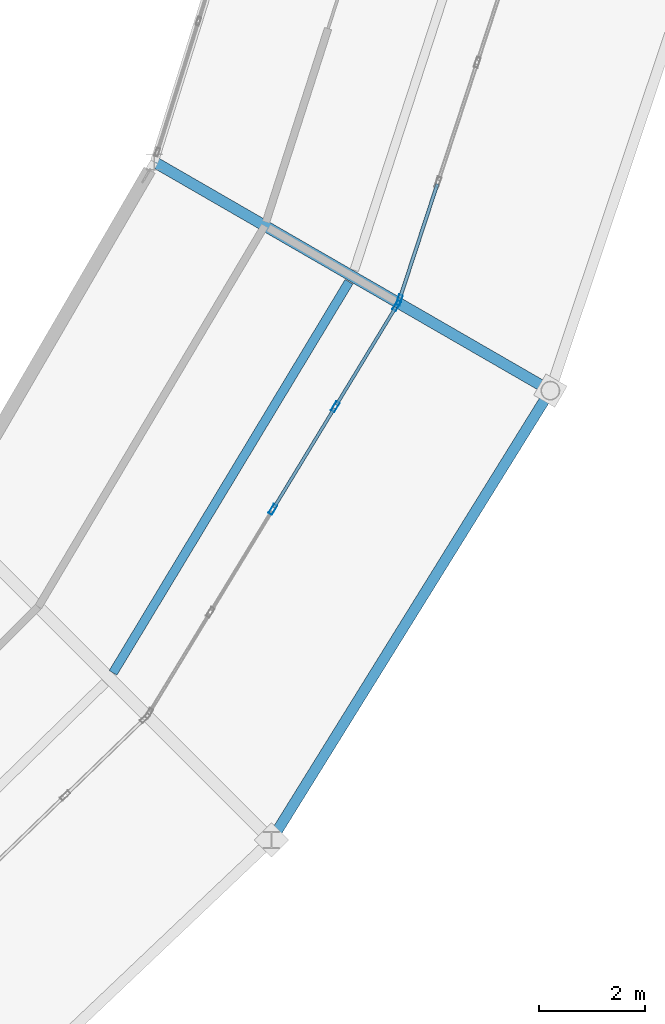
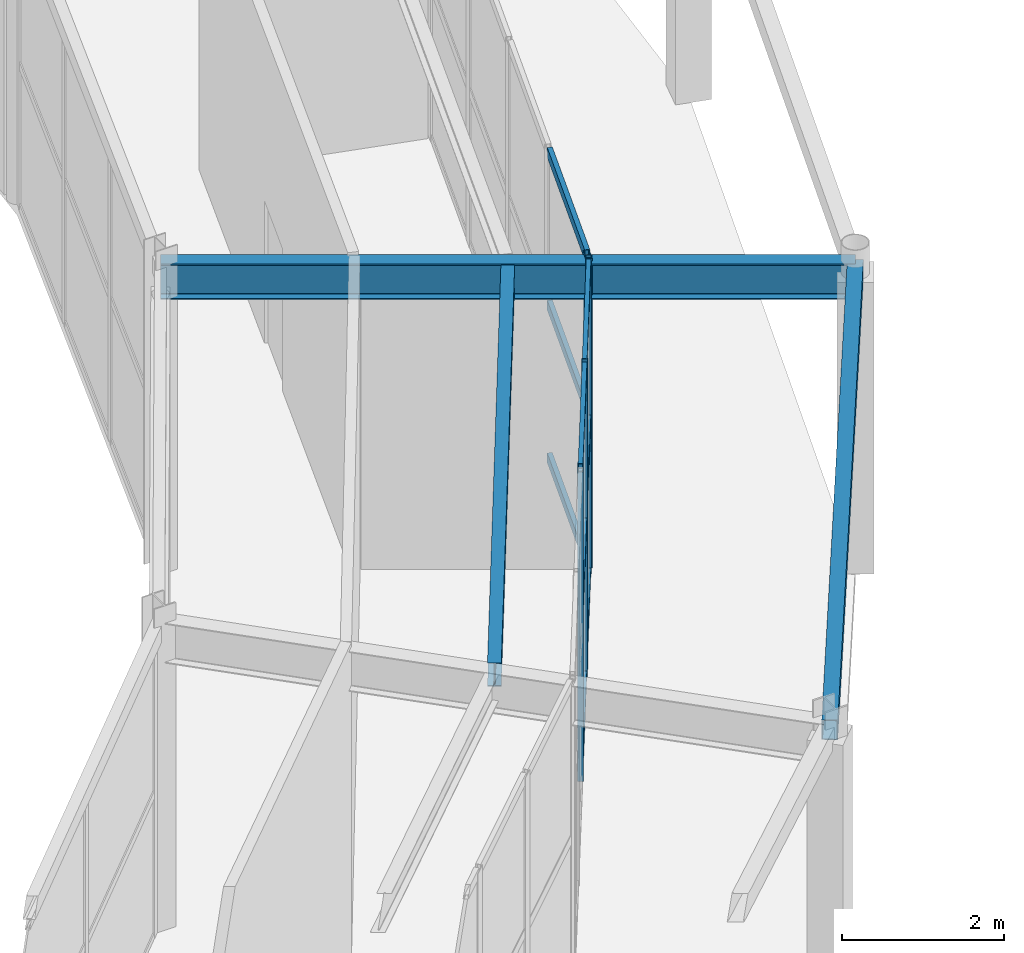
# One storey, part 55 of 144: 13 members, 3 beams, 2 elements without a shape of their own.
"""IFC4 building model written with IfcOpenShell, lengths in metres."""

from ifc_helpers import new_model, si_unit, direction, frame, origin, origin_2d, place, context, subcontext, project, spatial, hollow_rectangle, i_section, extrude, material, material_profile, profile_set, type_object, element, aggregate, save


model = new_model("IFC4")

# Units and contexts
model_context = context("Model", 3, precision=1e-05, world=origin(), true_north=direction((0.0, 1.0)))
body_context = subcontext(model_context, "Body", "Model", "MODEL_VIEW")
ifc_project = project(units=[si_unit("LENGTHUNIT", "METRE"), si_unit("AREAUNIT", "SQUARE_METRE"), si_unit("VOLUMEUNIT", "CUBIC_METRE"), si_unit("PLANEANGLEUNIT", "RADIAN"), si_unit("MASSUNIT", "GRAM", prefix="KILO")], contexts=[model_context])

# Site, building, storey
site_placement = place(None, origin())
site = spatial("IfcSite", under=ifc_project, at=site_placement, CompositionType="ELEMENT")
building_placement = place(site_placement, origin())
building = spatial("IfcBuilding", under=site, at=building_placement, Name="Karori Crest Natural Sciences Institute", CompositionType="ELEMENT")
storey_placement = place(building_placement, origin())
storey = spatial("IfcBuildingStorey", under=building, at=storey_placement, Name="L00", CompositionType="ELEMENT", Elevation=0.0)

# Beams
ifc_material_1 = material(Name="Structural steel AS/NZS 3679.1 Grade 350", Category="steel")
ifc_material_profile_1 = material_profile(ifc_material_1, i_section(OverallWidth=0.208984375, OverallDepth=0.532958984375, WebThickness=0.01025390625, FlangeThickness=0.015625, FilletRadius=0.013916015625, at=origin_2d()), Name="530UB92.4")
ifc_profile_set_1 = profile_set([ifc_material_profile_1], Name="Structural steel AS/NZS 3679.1 Grade 350")
beam_type_1 = type_object("IfcBeamType", Name="BT-05", PredefinedType="BEAM", material=ifc_profile_set_1)
beam_1_placement = place(storey_placement, frame((87.531005859375, 33.800048828125, 4.37353515625), z_axis=(0.866021068297, -0.500007509209, 0.0), x_axis=(0.500007509209, 0.866021068297, 0.0)))
element("IfcBeam", 1, at=beam_1_placement, inside=storey, type_object=beam_type_1, Name="Beam B-0176", PredefinedType="BEAM", context=body_context, shape_type="SweptSolid", body=[
    extrude(i_section(OverallWidth=0.208984375, OverallDepth=0.532958984375, WebThickness=0.01025390625, FlangeThickness=0.015625, FilletRadius=0.013916015625, at=origin_2d()), origin(), (0.0, 0.0, 1.0), 8.599853515625),
])
ifc_material_2 = material(Name="Hollow structural steel AS/NZS 1163 Grade C350", Category="steel")
ifc_material_profile_2 = material_profile(ifc_material_2, hollow_rectangle(XDim=0.199951171875, YDim=0.300048828125, WallThickness=0.010009765625, at=origin_2d()), Name="RHS300x200x10")
ifc_profile_set_2 = profile_set([ifc_material_profile_2], Name="Hollow structural steel AS/NZS 1163 Grade C350")
beam_type_2 = type_object("IfcBeamType", Name="BT-15", PredefinedType="SPANDREL", material=ifc_profile_set_2)
beam_2_placement = place(storey_placement, frame((89.734619140625, 21.050048828125, 4.489990234375), z_axis=(0.527315195609, 0.849669750244, 0.0), x_axis=(-0.849669750244, 0.527315195609, 0.0)))
element("IfcBeam", 2, at=beam_2_placement, inside=storey, type_object=beam_type_2, Name="Beam B-0170", PredefinedType="SPANDREL", context=body_context, shape_type="SweptSolid", body=[
    extrude(hollow_rectangle(XDim=0.199951171875, YDim=0.300048828125, WallThickness=0.010009765625, at=origin_2d()), origin(), (0.0, 0.0, 1.0), 9.945068359375),
])
ifc_material_profile_3 = material_profile(ifc_material_1, i_section(OverallWidth=0.1708984375, OverallDepth=0.35595703125, WebThickness=0.00732421875, FlangeThickness=0.011474609375, FilletRadius=0.010986328125, at=origin_2d()), Name="360UB50.7")
ifc_profile_set_3 = profile_set([ifc_material_profile_3], Name="Structural steel AS/NZS 3679.1 Grade 350")
beam_type_3 = type_object("IfcBeamType", Name="BT-30", PredefinedType="BEAM", material=ifc_profile_set_3)
beam_3_placement = place(storey_placement, frame((86.755859375, 24.193359375, 4.4619140625), z_axis=(0.516601017309, 0.856226248672, 0.0), x_axis=(-0.856226248672, 0.516601017309, 0.0)))
element("IfcBeam", 3, at=beam_3_placement, inside=storey, type_object=beam_type_3, Name="Beam B-0173", PredefinedType="BEAM", context=body_context, shape_type="SweptSolid", body=[
    extrude(i_section(OverallWidth=0.1708984375, OverallDepth=0.35595703125, WebThickness=0.00732421875, FlangeThickness=0.011474609375, FilletRadius=0.010986328125, at=origin_2d()), origin(), (0.0, 0.0, 1.0), 8.5888671875),
])

# Curtain wall, members
ifc_material_3 = material(Name="Anodised architectural aluminium 6063-T6", Category="aluminium")
curtain_wall_type_1 = type_object("IfcCurtainWallType", Name="CWT-02", PredefinedType="NOTDEFINED", material=ifc_material_3)
curtain_wall_1_placement = place(storey_placement, origin())
curtain_wall_1 = element("IfcCurtainWall", 4, at=curtain_wall_1_placement, inside=storey, type_object=curtain_wall_type_1, Name="Curtain wall CW-0027", PredefinedType="NOTDEFINED")
ifc_material_profile_4 = material_profile(ifc_material_3, hollow_rectangle(XDim=0.074951171875, YDim=0.199951171875, WallThickness=0.0048828125, at=origin_2d()), Name="CWM200x75x5")
ifc_profile_set_4 = profile_set([ifc_material_profile_4], Name="Anodised architectural aluminium 6063-T6")
member_type_1 = type_object("IfcMemberType", Name="CWM-02", PredefinedType="MULLION", material=ifc_profile_set_4)
member_1_placement = place(storey_placement, frame((92.091064453125, 31.100830078125, 0.0), z_axis=(0.0, 0.0, 1.0), x_axis=(0.854567337323, -0.519340606905, 0.0)))
member_1 = element("IfcMember", 5, at=member_1_placement, type_object=member_type_1, Name="CW-0027 mullion 1", PredefinedType="MULLION", context=body_context, shape_type="SweptSolid", body=[
    extrude(hollow_rectangle(XDim=0.074951171875, YDim=0.199951171875, WallThickness=0.0048828125, at=origin_2d()), origin(), (0.0, 0.0, 1.0), 4.679931640625),
])
member_2_placement = place(storey_placement, frame((90.935791015625, 29.19970703125, 0.0), z_axis=(0.0, 0.0, 1.0), x_axis=(0.854567337323, -0.519340606905, 0.0)))
member_2 = element("IfcMember", 6, at=member_2_placement, type_object=member_type_1, Name="CW-0027 mullion 2", PredefinedType="MULLION", context=body_context, shape_type="SweptSolid", body=[
    extrude(hollow_rectangle(XDim=0.074951171875, YDim=0.199951171875, WallThickness=0.0048828125, at=origin_2d()), origin(), (0.0, 0.0, 1.0), 4.679931640625),
])
member_3_placement = place(storey_placement, frame((89.760986328125, 27.266845703125, 0.0), z_axis=(0.0, 0.0, 1.0), x_axis=(0.854567337323, -0.519340606905, 0.0)))
member_3 = element("IfcMember", 7, at=member_3_placement, type_object=member_type_1, Name="CW-0027 mullion 3", PredefinedType="MULLION", context=body_context, shape_type="SweptSolid", body=[
    extrude(hollow_rectangle(XDim=0.074951171875, YDim=0.199951171875, WallThickness=0.0048828125, at=origin_2d()), origin(), (0.0, 0.0, 1.0), 4.679931640625),
])

# Curtain wall, member
curtain_wall_type_2 = type_object("IfcCurtainWallType", Name="CWT-03", PredefinedType="NOTDEFINED", material=ifc_material_3)
curtain_wall_2_placement = place(storey_placement, origin())
curtain_wall_2 = element("IfcCurtainWall", 8, at=curtain_wall_2_placement, inside=storey, type_object=curtain_wall_type_2, Name="Curtain wall CW-0028", PredefinedType="NOTDEFINED")
member_4_placement = place(storey_placement, frame((92.138916015625, 31.20458984375, 0.0), z_axis=(0.0, 0.0, 1.0), x_axis=(0.950175969879, -0.311714013584, 0.0)))
member_4 = element("IfcMember", 9, at=member_4_placement, type_object=member_type_1, Name="CW-0028 mullion 5", PredefinedType="MULLION", context=body_context, shape_type="SweptSolid", body=[
    extrude(hollow_rectangle(XDim=0.074951171875, YDim=0.199951171875, WallThickness=0.0048828125, at=origin_2d()), origin(), (0.0, 0.0, 1.0), 4.679931640625),
])

# Member
ifc_material_profile_5 = material_profile(ifc_material_3, hollow_rectangle(XDim=0.06005859375, YDim=0.1201171875, WallThickness=0.00390625, at=origin_2d()), Name="CWT120x60x4")
ifc_profile_set_5 = profile_set([ifc_material_profile_5], Name="Anodised architectural aluminium 6063-T6")
member_type_2 = type_object("IfcMemberType", Name="CWT-TR1", PredefinedType="USERDEFINED", material=ifc_profile_set_5)
member_5_placement = place(storey_placement, frame((92.071533203125, 31.06884765625, 0.030029296875), z_axis=(-0.519298203002, -0.854593105728, 0.0), x_axis=(0.854593105728, -0.519298203002, 0.0)))
member_5 = element("IfcMember", 10, at=member_5_placement, type_object=member_type_2, Name="CW-0027 transom 1.1", ObjectType="TRANSOM", PredefinedType="USERDEFINED", context=body_context, shape_type="SweptSolid", body=[
    extrude(hollow_rectangle(XDim=0.06005859375, YDim=0.1201171875, WallThickness=0.00390625, at=origin_2d()), origin(), (0.0, 0.0, 1.0), 2.1494140625),
])

member_6_placement = place(storey_placement, frame((92.071533203125, 31.06884765625, 2.340087890625), z_axis=(-0.519298203002, -0.854593105728, 0.0), x_axis=(0.854593105728, -0.519298203002, 0.0)))
member_6 = element("IfcMember", 11, at=member_6_placement, type_object=member_type_2, Name="CW-0027 transom 1.2", ObjectType="TRANSOM", PredefinedType="USERDEFINED", context=body_context, shape_type="SweptSolid", body=[
    extrude(hollow_rectangle(XDim=0.06005859375, YDim=0.1201171875, WallThickness=0.00390625, at=origin_2d()), origin(), (0.0, 0.0, 1.0), 2.1494140625),
])

member_7_placement = place(storey_placement, frame((92.071533203125, 31.06884765625, 4.64990234375), z_axis=(-0.519298203002, -0.854593105728, 0.0), x_axis=(0.854593105728, -0.519298203002, 0.0)))
member_7 = element("IfcMember", 12, at=member_7_placement, type_object=member_type_2, Name="CW-0027 transom 1.3", ObjectType="TRANSOM", PredefinedType="USERDEFINED", context=body_context, shape_type="SweptSolid", body=[
    extrude(hollow_rectangle(XDim=0.06005859375, YDim=0.1201171875, WallThickness=0.00390625, at=origin_2d()), origin(), (0.0, 0.0, 1.0), 2.1494140625),
])

member_8_placement = place(storey_placement, frame((90.916259765625, 29.167724609375, 0.030029296875), z_axis=(-0.519330580984, -0.85457343023, 0.0), x_axis=(0.85457343023, -0.519330580984, 0.0)))
member_8 = element("IfcMember", 13, at=member_8_placement, type_object=member_type_2, Name="CW-0027 transom 2.1", ObjectType="TRANSOM", PredefinedType="USERDEFINED", context=body_context, shape_type="SweptSolid", body=[
    extrude(hollow_rectangle(XDim=0.06005859375, YDim=0.1201171875, WallThickness=0.00390625, at=origin_2d()), origin(), (0.0, 0.0, 1.0), 2.18701171875),
])

member_9_placement = place(storey_placement, frame((90.916259765625, 29.167724609375, 2.340087890625), z_axis=(-0.519330580984, -0.85457343023, 0.0), x_axis=(0.85457343023, -0.519330580984, 0.0)))
member_9 = element("IfcMember", 14, at=member_9_placement, type_object=member_type_2, Name="CW-0027 transom 2.2", ObjectType="TRANSOM", PredefinedType="USERDEFINED", context=body_context, shape_type="SweptSolid", body=[
    extrude(hollow_rectangle(XDim=0.06005859375, YDim=0.1201171875, WallThickness=0.00390625, at=origin_2d()), origin(), (0.0, 0.0, 1.0), 2.18701171875),
])

member_10_placement = place(storey_placement, frame((90.916259765625, 29.167724609375, 4.64990234375), z_axis=(-0.519330580984, -0.85457343023, 0.0), x_axis=(0.85457343023, -0.519330580984, 0.0)))
member_10 = element("IfcMember", 15, at=member_10_placement, type_object=member_type_2, Name="CW-0027 transom 2.3", ObjectType="TRANSOM", PredefinedType="USERDEFINED", context=body_context, shape_type="SweptSolid", body=[
    extrude(hollow_rectangle(XDim=0.06005859375, YDim=0.1201171875, WallThickness=0.00390625, at=origin_2d()), origin(), (0.0, 0.0, 1.0), 2.18701171875),
])

aggregate(curtain_wall_1, [member_1, member_2, member_3, member_5, member_6, member_7, member_8, member_9, member_10])

ifc_material_profile_6 = material_profile(ifc_material_3, hollow_rectangle(XDim=0.06494140625, YDim=0.14990234375, WallThickness=0.00390625, at=origin_2d()), Name="CWT150x65x4")
ifc_profile_set_6 = profile_set([ifc_material_profile_6], Name="Anodised architectural aluminium 6063-T6")
member_type_3 = type_object("IfcMemberType", Name="CWT-TR2", PredefinedType="USERDEFINED", material=ifc_profile_set_6)
member_11_placement = place(storey_placement, frame((92.854248046875, 33.385009765625, 0.032470703125), z_axis=(-0.311713965884, -0.950175985527, 0.0), x_axis=(0.950175985527, -0.311713965884, 0.0)))
member_11 = element("IfcMember", 16, at=member_11_placement, type_object=member_type_3, Name="CW-0028 transom 4.1", ObjectType="TRANSOM", PredefinedType="USERDEFINED", context=body_context, shape_type="SweptSolid", body=[
    extrude(hollow_rectangle(XDim=0.06494140625, YDim=0.14990234375, WallThickness=0.00390625, at=origin_2d()), origin(), (0.0, 0.0, 1.0), 2.25732421875),
])

member_12_placement = place(storey_placement, frame((92.854248046875, 33.385009765625, 2.340087890625), z_axis=(-0.311713965884, -0.950175985527, 0.0), x_axis=(0.950175985527, -0.311713965884, 0.0)))
member_12 = element("IfcMember", 17, at=member_12_placement, type_object=member_type_3, Name="CW-0028 transom 4.2", ObjectType="TRANSOM", PredefinedType="USERDEFINED", context=body_context, shape_type="SweptSolid", body=[
    extrude(hollow_rectangle(XDim=0.06494140625, YDim=0.14990234375, WallThickness=0.00390625, at=origin_2d()), origin(), (0.0, 0.0, 1.0), 2.25732421875),
])

member_13_placement = place(storey_placement, frame((92.854248046875, 33.385009765625, 4.6474609375), z_axis=(-0.311713965884, -0.950175985527, 0.0), x_axis=(0.950175985527, -0.311713965884, 0.0)))
member_13 = element("IfcMember", 18, at=member_13_placement, type_object=member_type_3, Name="CW-0028 transom 4.3", ObjectType="TRANSOM", PredefinedType="USERDEFINED", context=body_context, shape_type="SweptSolid", body=[
    extrude(hollow_rectangle(XDim=0.06494140625, YDim=0.14990234375, WallThickness=0.00390625, at=origin_2d()), origin(), (0.0, 0.0, 1.0), 2.25732421875),
])

aggregate(curtain_wall_2, [member_4, member_11, member_12, member_13])

save(model, "model.ifc")
